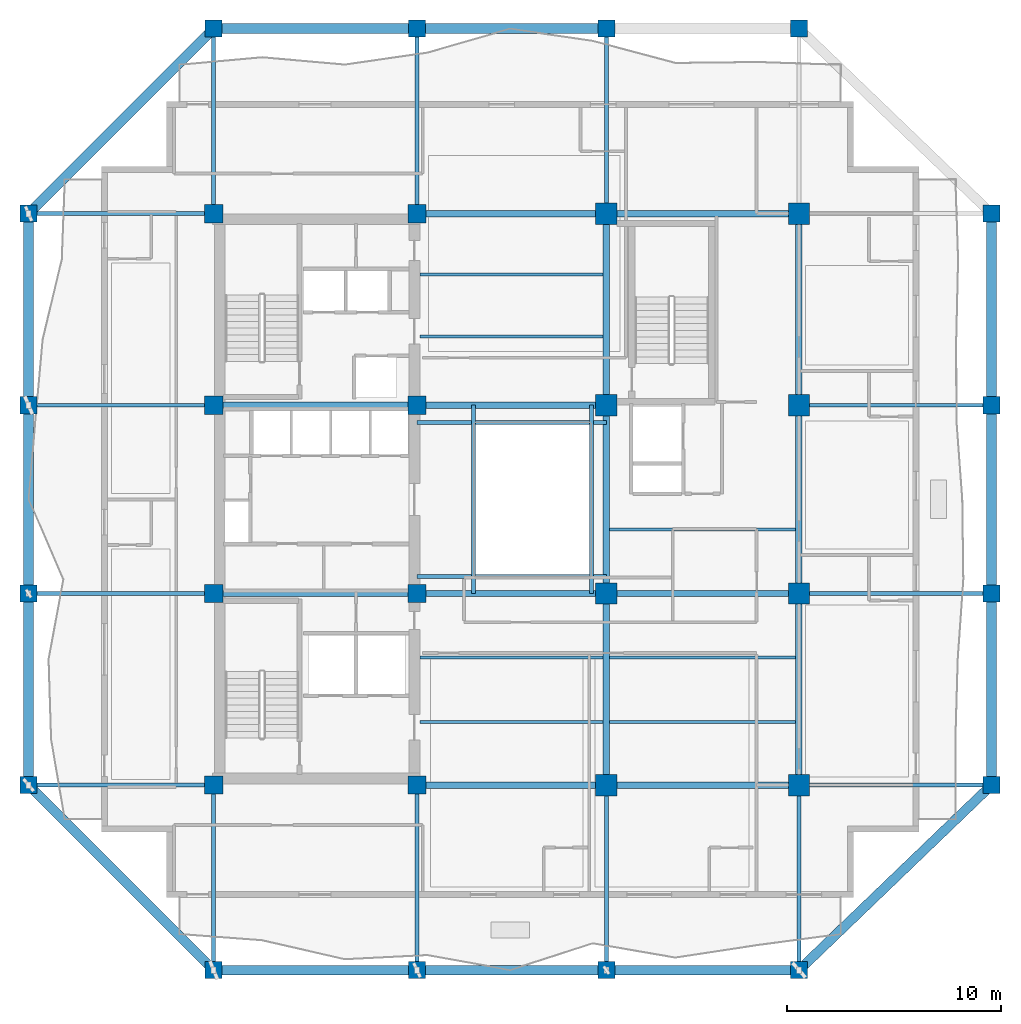
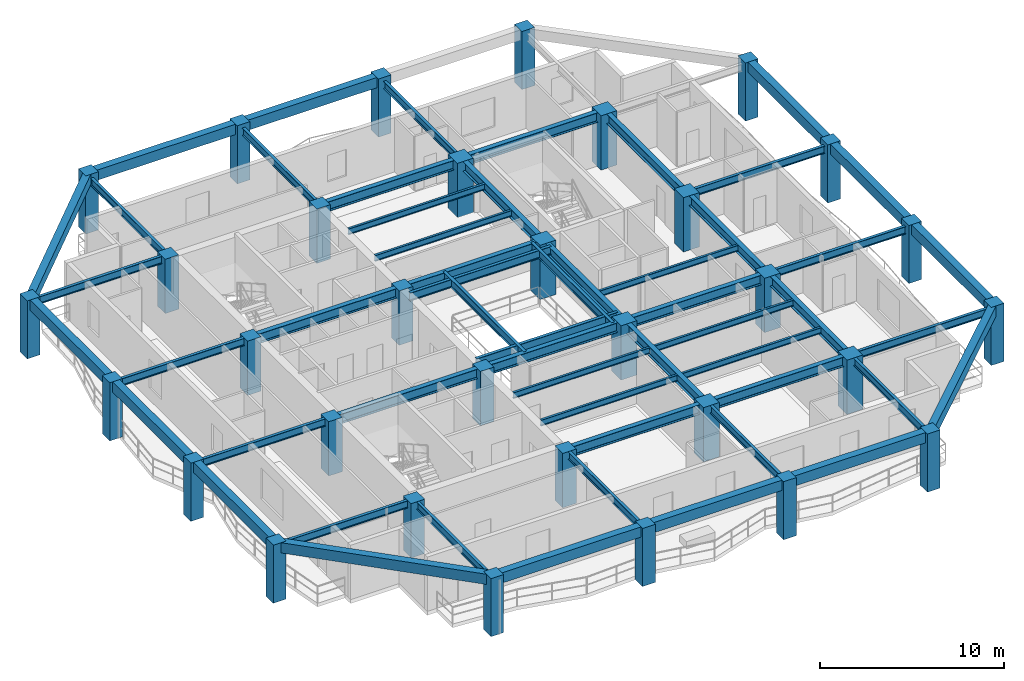
# One storey, part 1 of 11: 54 beams, 32 columns.
"""IFC4 building model written with IfcOpenShell, lengths in metres."""

from ifc_helpers import new_model, si_unit, direction, frame, origin, origin_2d, place, context, subcontext, project, spatial, rectangle, i_section, extrude, material, material_profile, profile_set, type_object, element, save


model = new_model("IFC4")

# Units and contexts
model_context = context("Model", 3, precision=1e-05, world=origin(), true_north=direction((0.0, 1.0)))
body_context = subcontext(model_context, "Body", "Model", "MODEL_VIEW")
ifc_project = project(units=[si_unit("LENGTHUNIT", "METRE"), si_unit("AREAUNIT", "SQUARE_METRE"), si_unit("VOLUMEUNIT", "CUBIC_METRE"), si_unit("PLANEANGLEUNIT", "RADIAN"), si_unit("MASSUNIT", "GRAM", prefix="KILO")], contexts=[model_context])

# Site, building, storey
site_placement = place(None, origin())
site = spatial("IfcSite", under=ifc_project, at=site_placement, CompositionType="ELEMENT")
building_placement = place(site_placement, origin())
building = spatial("IfcBuilding", under=site, at=building_placement, Name="Kundavana Baori Tower", CompositionType="ELEMENT")
storey_placement = place(building_placement, frame((0.0, 0.0, 119.39990234375)))
storey = spatial("IfcBuildingStorey", under=building, at=storey_placement, Name="L28", CompositionType="ELEMENT", Elevation=119.39990234375)

# Columns
ifc_material_1 = material(Name="Concrete C50/60", Category="concrete")
ifc_material_profile_1 = material_profile(ifc_material_1, rectangle(XDim=0.800048828125, YDim=0.800048828125, at=origin_2d()), Name="RC PF 800x800")
ifc_profile_set_1 = profile_set([ifc_material_profile_1], Name="Concrete C50/60")
column_type_1 = type_object("IfcColumnType", Name="COL-PF-800", PredefinedType="COLUMN", material=ifc_profile_set_1)
for number, where, z_axis, x_axis, name in (
    (1, (15.449951171875, 6.60009765625, 0.0), (0.0, 0.0, 1.0), (1.0, 0.0, 0.0), "L28 Stone-Clad Perimeter Frame Column PF-S1"),
    (2, (15.449951171875, 50.60009765625, 0.0), (0.0, 0.0, 1.0), (1.0, 0.0, 0.0), "L28 Stone-Clad Perimeter Frame Column PF-N1"),
    (3, (24.949951171875, 6.60009765625, 0.0), (0.0, 0.0, 1.0), (1.0, 0.0, 0.0), "L28 Stone-Clad Perimeter Frame Column PF-S2"),
    (4, (24.949951171875, 50.60009765625, 0.0), (0.0, 0.0, 1.0), (1.0, 0.0, 0.0), "L28 Stone-Clad Perimeter Frame Column PF-N2"),
    (5, (33.800048828125, 6.60009765625, 0.0), (0.0, 0.0, 1.0), (1.0, 0.0, 0.0), "L28 Stone-Clad Perimeter Frame Column PF-S3"),
    (6, (33.800048828125, 50.60009765625, 0.0), (0.0, 0.0, 1.0), (1.0, 0.0, 0.0), "L28 Stone-Clad Perimeter Frame Column PF-N3"),
    (7, (42.800048828125, 6.60009765625, 0.0), (0.0, 0.0, 1.0), (1.0, 0.0, 0.0), "L28 Stone-Clad Perimeter Frame Column PF-S4"),
    (8, (42.800048828125, 50.60009765625, 0.0), (0.0, 0.0, 1.0), (1.0, 0.0, 0.0), "L28 Stone-Clad Perimeter Frame Column PF-N4"),
    (9, (6.800048828125, 15.25, 0.0), (0.0, 0.0, 1.0), (1.0, 0.0, 0.0), "L28 Stone-Clad Perimeter Frame Column PF-W1"),
    (10, (51.800048828125, 15.25, 0.0), (0.0, 0.0, 1.0), (1.0, 0.0, 0.0), "L28 Stone-Clad Perimeter Frame Column PF-E1"),
    (11, (6.800048828125, 24.199951171875, 0.0), (0.0, 0.0, 1.0), (1.0, 0.0, 0.0), "L28 Stone-Clad Perimeter Frame Column PF-W2"),
    (12, (51.800048828125, 24.199951171875, 0.0), (0.0, 0.0, 1.0), (1.0, 0.0, 0.0), "L28 Stone-Clad Perimeter Frame Column PF-E2"),
    (13, (6.800048828125, 33.0, 0.0), (0.0, 0.0, 1.0), (1.0, 0.0, 0.0), "L28 Stone-Clad Perimeter Frame Column PF-W3"),
    (14, (51.800048828125, 33.0, 0.0), (0.0, 0.0, 1.0), (1.0, 0.0, 0.0), "L28 Stone-Clad Perimeter Frame Column PF-E3"),
    (15, (6.800048828125, 41.949951171875, 0.0), (0.0, 0.0, 1.0), (1.0, 0.0, 0.0), "L28 Stone-Clad Perimeter Frame Column PF-W4"),
    (16, (51.800048828125, 41.949951171875, 0.0), (0.0, 0.0, 1.0), (1.0, 0.0, 0.0), "L28 Stone-Clad Perimeter Frame Column PF-E4"),
):
    element("IfcColumn", number, at=place(storey_placement, frame(where, z_axis=z_axis, x_axis=x_axis)), inside=storey, type_object=column_type_1, Name=name, PredefinedType="COLUMN", context=body_context, shape_type="SweptSolid", body=[
        extrude(rectangle(XDim=0.800048828125, YDim=0.800048828125, at=origin_2d()), origin(), (0.0, 0.0, 1.0), 3.85009765625),
    ])
ifc_material_2 = material(Name="Concrete C50/60", Category="concrete")
ifc_material_profile_2 = material_profile(ifc_material_2, rectangle(XDim=1.0, YDim=1.0, at=origin_2d()), Name="RC 1000x1000")
ifc_profile_set_2 = profile_set([ifc_material_profile_2], Name="Concrete C50/60")
column_type_2 = type_object("IfcColumnType", Name="COL-RC-1000", PredefinedType="COLUMN", material=ifc_profile_set_2)
for number, where, z_axis, x_axis, name in (
    (17, (33.800048828125, 15.25, 0.0), (0.0, 0.0, 1.0), (1.0, 0.0, 0.0), "L28 Interior Column IC-5C"),
    (18, (33.800048828125, 24.199951171875, 0.0), (0.0, 0.0, 1.0), (1.0, 0.0, 0.0), "L28 Interior Column IC-5D"),
    (19, (33.800048828125, 33.0, 0.0), (0.0, 0.0, 1.0), (1.0, 0.0, 0.0), "L28 Interior Column IC-5E"),
    (20, (33.800048828125, 41.949951171875, 0.0), (0.0, 0.0, 1.0), (1.0, 0.0, 0.0), "L28 Interior Column IC-5F"),
    (21, (42.800048828125, 15.25, 0.0), (0.0, 0.0, 1.0), (1.0, 0.0, 0.0), "L28 Interior Column IC-6C"),
    (22, (42.800048828125, 24.199951171875, 0.0), (0.0, 0.0, 1.0), (1.0, 0.0, 0.0), "L28 Interior Column IC-6D"),
    (23, (42.800048828125, 33.0, 0.0), (0.0, 0.0, 1.0), (1.0, 0.0, 0.0), "L28 Interior Column IC-6E"),
    (24, (42.800048828125, 41.949951171875, 0.0), (0.0, 0.0, 1.0), (1.0, 0.0, 0.0), "L28 Interior Column IC-6F"),
):
    element("IfcColumn", number, at=place(storey_placement, frame(where, z_axis=z_axis, x_axis=x_axis)), inside=storey, type_object=column_type_2, Name=name, PredefinedType="COLUMN", context=body_context, shape_type="SweptSolid", body=[
        extrude(rectangle(XDim=1.0, YDim=1.0, at=origin_2d()), origin(), (0.0, 0.0, 1.0), 3.60009765625),
    ])
ifc_material_3 = material(Name="Concrete C50/60", Category="concrete")
ifc_material_profile_3 = material_profile(ifc_material_3, rectangle(XDim=0.85009765625, YDim=0.85009765625, at=origin_2d()), Name="RC 850x850")
ifc_profile_set_3 = profile_set([ifc_material_profile_3], Name="Concrete C50/60")
column_type_3 = type_object("IfcColumnType", Name="COL-RC-850", PredefinedType="COLUMN", material=ifc_profile_set_3)
for number, where, z_axis, x_axis, name in (
    (25, (15.449951171875, 15.25, 0.0), (0.0, 0.0, 1.0), (1.0, 0.0, 0.0), "L28 Interior Column IC-3C"),
    (26, (15.449951171875, 24.199951171875, 0.0), (0.0, 0.0, 1.0), (1.0, 0.0, 0.0), "L28 Interior Column IC-3D"),
    (27, (15.449951171875, 33.0, 0.0), (0.0, 0.0, 1.0), (1.0, 0.0, 0.0), "L28 Interior Column IC-3E"),
    (28, (15.449951171875, 41.949951171875, 0.0), (0.0, 0.0, 1.0), (1.0, 0.0, 0.0), "L28 Interior Column IC-3F"),
    (29, (24.949951171875, 15.25, 0.0), (0.0, 0.0, 1.0), (1.0, 0.0, 0.0), "L28 Interior Column IC-4C"),
    (30, (24.949951171875, 24.199951171875, 0.0), (0.0, 0.0, 1.0), (1.0, 0.0, 0.0), "L28 Interior Column IC-4D"),
    (31, (24.949951171875, 33.0, 0.0), (0.0, 0.0, 1.0), (1.0, 0.0, 0.0), "L28 Interior Column IC-4E"),
    (32, (24.949951171875, 41.949951171875, 0.0), (0.0, 0.0, 1.0), (1.0, 0.0, 0.0), "L28 Interior Column IC-4F"),
):
    element("IfcColumn", number, at=place(storey_placement, frame(where, z_axis=z_axis, x_axis=x_axis)), inside=storey, type_object=column_type_3, Name=name, PredefinedType="COLUMN", context=body_context, shape_type="SweptSolid", body=[
        extrude(rectangle(XDim=0.85009765625, YDim=0.85009765625, at=origin_2d()), origin(), (0.0, 0.0, 1.0), 3.60009765625),
    ])

# Beams
ifc_material_4 = material(Name="Structural Steel S355JR", Category="steel")
ifc_material_profile_4 = material_profile(ifc_material_4, i_section(OverallWidth=0.139892578125, OverallDepth=0.39990234375, WebThickness=0.0087890625, FlangeThickness=0.01611328125, FilletRadius=0.013916015625, at=origin_2d()), Name="ISMB 400")
ifc_profile_set_4 = profile_set([ifc_material_profile_4], Name="Structural Steel S355JR")
beam_type_1 = type_object("IfcBeamType", Name="BM-JST-400", PredefinedType="JOIST", material=ifc_profile_set_4)
for number, where, z_axis, x_axis, name in (
    (33, (25.080078125, 18.199951171875, 3.400146484375), (1.0, 0.0, 0.0), (0.0, 1.0, 0.0), "L28 Central Bay Composite Floor Joist C1"),
    (34, (25.080078125, 21.199951171875, 3.400146484375), (1.0, 0.0, 0.0), (0.0, 1.0, 0.0), "L28 Central Bay Composite Floor Joist C2"),
    (35, (25.080078125, 36.199951171875, 3.400146484375), (1.0, 0.0, 0.0), (0.0, 1.0, 0.0), "L28 Central Bay Composite Floor Joist C3"),
    (36, (25.080078125, 39.10009765625, 3.400146484375), (1.0, 0.0, 0.0), (0.0, 1.0, 0.0), "L28 Central Bay Composite Floor Joist C4"),
):
    element("IfcBeam", number, at=place(storey_placement, frame(where, z_axis=z_axis, x_axis=x_axis)), inside=storey, type_object=beam_type_1, Name=name, PredefinedType="JOIST", context=body_context, shape_type="SweptSolid", body=[
        extrude(i_section(OverallWidth=0.139892578125, OverallDepth=0.39990234375, WebThickness=0.0087890625, FlangeThickness=0.01611328125, FilletRadius=0.013916015625, at=origin_2d()), origin(), (0.0, 0.0, 1.0), 8.56982421875),
    ])
for number, where, z_axis, x_axis, name in (
    (37, (33.949951171875, 18.199951171875, 3.400146484375), (1.0, 0.0, 0.0), (0.0, 1.0, 0.0), "L28 East Bay Composite Floor Joist E1"),
    (38, (33.949951171875, 21.199951171875, 3.400146484375), (1.0, 0.0, 0.0), (0.0, 1.0, 0.0), "L28 East Bay Composite Floor Joist E2"),
    (39, (33.949951171875, 27.199951171875, 3.400146484375), (1.0, 0.0, 0.0), (0.0, 1.0, 0.0), "L28 East Bay Composite Floor Joist E3"),
):
    element("IfcBeam", number, at=place(storey_placement, frame(where, z_axis=z_axis, x_axis=x_axis)), inside=storey, type_object=beam_type_1, Name=name, PredefinedType="JOIST", context=body_context, shape_type="SweptSolid", body=[
        extrude(i_section(OverallWidth=0.139892578125, OverallDepth=0.39990234375, WebThickness=0.0087890625, FlangeThickness=0.01611328125, FilletRadius=0.013916015625, at=origin_2d()), origin(), (0.0, 0.0, 1.0), 8.699951171875),
    ])
ifc_material_5 = material(Name="Concrete C50/60", Category="concrete")
ifc_material_profile_5 = material_profile(ifc_material_5, rectangle(XDim=0.449951171875, YDim=0.679931640625, at=origin_2d()), Name="RC BM 450x680")
ifc_profile_set_5 = profile_set([ifc_material_profile_5], Name="Concrete C50/60")
beam_type_2 = type_object("IfcBeamType", Name="BM-PF-680", PredefinedType="SPANDREL", material=ifc_profile_set_5)
beam_1_placement = place(storey_placement, frame((15.449951171875, 6.60009765625, 3.510009765625), z_axis=(1.0, 0.0, 0.0), x_axis=(0.0, 1.0, 0.0)))
element("IfcBeam", 40, at=beam_1_placement, inside=storey, type_object=beam_type_2, Name="L28 Perimeter Frame Ring Beam S1", PredefinedType="SPANDREL", context=body_context, shape_type="SweptSolid", body=[
    extrude(rectangle(XDim=0.449951171875, YDim=0.679931640625, at=origin_2d()), origin(), (0.0, 0.0, 1.0), 9.5),
])
beam_2_placement = place(storey_placement, frame((24.949951171875, 6.60009765625, 3.510009765625), z_axis=(1.0, 0.0, 0.0), x_axis=(0.0, 1.0, 0.0)))
element("IfcBeam", 41, at=beam_2_placement, inside=storey, type_object=beam_type_2, Name="L28 Perimeter Frame Ring Beam S2", PredefinedType="SPANDREL", context=body_context, shape_type="SweptSolid", body=[
    extrude(rectangle(XDim=0.449951171875, YDim=0.679931640625, at=origin_2d()), origin(), (0.0, 0.0, 1.0), 8.85009765625),
])
beam_3_placement = place(storey_placement, frame((33.800048828125, 6.60009765625, 3.510009765625), z_axis=(1.0, 0.0, 0.0), x_axis=(0.0, 1.0, 0.0)))
element("IfcBeam", 42, at=beam_3_placement, inside=storey, type_object=beam_type_2, Name="L28 Perimeter Frame Ring Beam S3", PredefinedType="SPANDREL", context=body_context, shape_type="SweptSolid", body=[
    extrude(rectangle(XDim=0.449951171875, YDim=0.679931640625, at=origin_2d()), origin(), (0.0, 0.0, 1.0), 9.0),
])
beam_4_placement = place(storey_placement, frame((15.449951171875, 50.60009765625, 3.510009765625), z_axis=(1.0, 0.0, 0.0), x_axis=(0.0, 1.0, 0.0)))
element("IfcBeam", 43, at=beam_4_placement, inside=storey, type_object=beam_type_2, Name="L28 Perimeter Frame Ring Beam N1", PredefinedType="SPANDREL", context=body_context, shape_type="SweptSolid", body=[
    extrude(rectangle(XDim=0.449951171875, YDim=0.679931640625, at=origin_2d()), origin(), (0.0, 0.0, 1.0), 9.5),
])
beam_5_placement = place(storey_placement, frame((24.949951171875, 50.60009765625, 3.510009765625), z_axis=(1.0, 0.0, 0.0), x_axis=(0.0, 1.0, 0.0)))
element("IfcBeam", 44, at=beam_5_placement, inside=storey, type_object=beam_type_2, Name="L28 Perimeter Frame Ring Beam N2", PredefinedType="SPANDREL", context=body_context, shape_type="SweptSolid", body=[
    extrude(rectangle(XDim=0.449951171875, YDim=0.679931640625, at=origin_2d()), origin(), (0.0, 0.0, 1.0), 8.85009765625),
])
beam_6_placement = place(storey_placement, frame((6.800048828125, 15.25, 3.510009765625), z_axis=(0.0, 1.0, 0.0), x_axis=(-1.0, 0.0, 0.0)))
element("IfcBeam", 45, at=beam_6_placement, inside=storey, type_object=beam_type_2, Name="L28 Perimeter Frame Ring Beam W1", PredefinedType="SPANDREL", context=body_context, shape_type="SweptSolid", body=[
    extrude(rectangle(XDim=0.449951171875, YDim=0.679931640625, at=origin_2d()), origin(), (0.0, 0.0, 1.0), 8.949951171875),
])
beam_7_placement = place(storey_placement, frame((6.800048828125, 24.199951171875, 3.510009765625), z_axis=(0.0, 1.0, 0.0), x_axis=(-1.0, 0.0, 0.0)))
element("IfcBeam", 46, at=beam_7_placement, inside=storey, type_object=beam_type_2, Name="L28 Perimeter Frame Ring Beam W2", PredefinedType="SPANDREL", context=body_context, shape_type="SweptSolid", body=[
    extrude(rectangle(XDim=0.449951171875, YDim=0.679931640625, at=origin_2d()), origin(), (0.0, 0.0, 1.0), 8.800048828125),
])
for number, where, z_axis, x_axis, name in (
    (47, (6.800048828125, 33.0, 3.510009765625), (0.0, 1.0, 0.0), (-1.0, 0.0, 0.0), "L28 Perimeter Frame Ring Beam W3"),
    (48, (51.800048828125, 15.25, 3.510009765625), (0.0, 1.0, 0.0), (-1.0, 0.0, 0.0), "L28 Perimeter Frame Ring Beam E1"),
):
    element("IfcBeam", number, at=place(storey_placement, frame(where, z_axis=z_axis, x_axis=x_axis)), inside=storey, type_object=beam_type_2, Name=name, PredefinedType="SPANDREL", context=body_context, shape_type="SweptSolid", body=[
        extrude(rectangle(XDim=0.449951171875, YDim=0.679931640625, at=origin_2d()), origin(), (0.0, 0.0, 1.0), 8.949951171875),
    ])
beam_8_placement = place(storey_placement, frame((51.800048828125, 24.199951171875, 3.510009765625), z_axis=(0.0, 1.0, 0.0), x_axis=(-1.0, 0.0, 0.0)))
element("IfcBeam", 49, at=beam_8_placement, inside=storey, type_object=beam_type_2, Name="L28 Perimeter Frame Ring Beam E2", PredefinedType="SPANDREL", context=body_context, shape_type="SweptSolid", body=[
    extrude(rectangle(XDim=0.449951171875, YDim=0.679931640625, at=origin_2d()), origin(), (0.0, 0.0, 1.0), 8.800048828125),
])
beam_9_placement = place(storey_placement, frame((51.800048828125, 33.0, 3.510009765625), z_axis=(0.0, 1.0, 0.0), x_axis=(-1.0, 0.0, 0.0)))
element("IfcBeam", 50, at=beam_9_placement, inside=storey, type_object=beam_type_2, Name="L28 Perimeter Frame Ring Beam E3", PredefinedType="SPANDREL", context=body_context, shape_type="SweptSolid", body=[
    extrude(rectangle(XDim=0.449951171875, YDim=0.679931640625, at=origin_2d()), origin(), (0.0, 0.0, 1.0), 8.949951171875),
])
beam_10_placement = place(storey_placement, frame((15.449951171875, 6.60009765625, 3.510009765625), z_axis=(-0.707106781187, 0.707106781187, 0.0), x_axis=(-0.707106781187, -0.707106781187, 0.0)))
element("IfcBeam", 51, at=beam_10_placement, inside=storey, type_object=beam_type_2, Name="L28 Notched Corner Perimeter Beam SW", PredefinedType="SPANDREL", context=body_context, shape_type="SweptSolid", body=[
    extrude(rectangle(XDim=0.449951171875, YDim=0.679931640625, at=origin_2d()), origin(), (0.0, 0.0, 1.0), 12.23291015625),
])
beam_11_placement = place(storey_placement, frame((42.800048828125, 6.60009765625, 3.510009765625), z_axis=(0.720990894297, 0.692944536266, 0.0), x_axis=(-0.692944536266, 0.720990894297, 0.0)))
element("IfcBeam", 52, at=beam_11_placement, inside=storey, type_object=beam_type_2, Name="L28 Notched Corner Perimeter Beam SE", PredefinedType="SPANDREL", context=body_context, shape_type="SweptSolid", body=[
    extrude(rectangle(XDim=0.449951171875, YDim=0.679931640625, at=origin_2d()), origin(), (0.0, 0.0, 1.0), 12.48291015625),
])
beam_12_placement = place(storey_placement, frame((15.449951171875, 50.60009765625, 3.510009765625), z_axis=(-0.70709680233, -0.707116759903, 0.0), x_axis=(0.707116759903, -0.70709680233, 0.0)))
element("IfcBeam", 53, at=beam_12_placement, inside=storey, type_object=beam_type_2, Name="L28 Notched Corner Perimeter Beam NW", PredefinedType="SPANDREL", context=body_context, shape_type="SweptSolid", body=[
    extrude(rectangle(XDim=0.449951171875, YDim=0.679931640625, at=origin_2d()), origin(), (0.0, 0.0, 1.0), 12.23291015625),
])
ifc_material_6 = material(Name="Structural Steel S355JR", Category="steel")
ifc_material_profile_6 = material_profile(ifc_material_6, i_section(OverallWidth=0.18994140625, OverallDepth=0.550048828125, WebThickness=0.01123046875, FlangeThickness=0.019287109375, FilletRadius=0.01806640625, at=origin_2d()), Name="ISMB 550")
ifc_profile_set_6 = profile_set([ifc_material_profile_6], Name="Structural Steel S355JR")
beam_type_3 = type_object("IfcBeamType", Name="BM-ST-550", PredefinedType="BEAM", material=ifc_profile_set_6)
for number, where, z_axis, x_axis, name in (
    (54, (27.60009765625, 24.199951171875, 3.3251953125), (0.0, 1.0, 0.0), (-1.0, 0.0, 0.0), "L28 Atrium West Edge Beam"),
    (55, (33.10009765625, 24.199951171875, 3.3251953125), (0.0, 1.0, 0.0), (-1.0, 0.0, 0.0), "L28 Atrium East Edge Beam"),
):
    element("IfcBeam", number, at=place(storey_placement, frame(where, z_axis=z_axis, x_axis=x_axis)), inside=storey, type_object=beam_type_3, Name=name, PredefinedType="BEAM", context=body_context, shape_type="SweptSolid", body=[
        extrude(i_section(OverallWidth=0.18994140625, OverallDepth=0.550048828125, WebThickness=0.01123046875, FlangeThickness=0.019287109375, FilletRadius=0.01806640625, at=origin_2d()), origin(), (0.0, 0.0, 1.0), 8.800048828125),
    ])
for number, where, z_axis, x_axis, name in (
    (56, (24.949951171875, 25.0, 3.3251953125), (1.0, 0.0, 0.0), (0.0, 1.0, 0.0), "L28 Atrium South Edge Beam"),
    (57, (24.949951171875, 32.199951171875, 3.3251953125), (1.0, 0.0, 0.0), (0.0, 1.0, 0.0), "L28 Atrium North Edge Beam"),
):
    element("IfcBeam", number, at=place(storey_placement, frame(where, z_axis=z_axis, x_axis=x_axis)), inside=storey, type_object=beam_type_3, Name=name, PredefinedType="BEAM", context=body_context, shape_type="SweptSolid", body=[
        extrude(i_section(OverallWidth=0.18994140625, OverallDepth=0.550048828125, WebThickness=0.01123046875, FlangeThickness=0.019287109375, FilletRadius=0.01806640625, at=origin_2d()), origin(), (0.0, 0.0, 1.0), 8.85009765625),
    ])
ifc_material_7 = material(Name="Structural Steel S355JR", Category="steel")
ifc_material_profile_7 = material_profile(ifc_material_7, i_section(OverallWidth=0.300048828125, OverallDepth=0.64990234375, WebThickness=0.013427734375, FlangeThickness=0.02197265625, FilletRadius=0.02392578125, at=origin_2d()), Name="NPB 650x300x155")
ifc_profile_set_7 = profile_set([ifc_material_profile_7], Name="Structural Steel S355JR")
beam_type_4 = type_object("IfcBeamType", Name="BM-ST-650", PredefinedType="BEAM", material=ifc_profile_set_7)
beam_13_placement = place(storey_placement, frame((24.949951171875, 15.25, 3.275146484375), z_axis=(1.0, 0.0, 0.0), x_axis=(0.0, 1.0, 0.0)))
element("IfcBeam", 58, at=beam_13_placement, inside=storey, type_object=beam_type_4, Name="L28 Primary Grid Girder GX-1-2", PredefinedType="BEAM", context=body_context, shape_type="SweptSolid", body=[
    extrude(i_section(OverallWidth=0.300048828125, OverallDepth=0.64990234375, WebThickness=0.013427734375, FlangeThickness=0.02197265625, FilletRadius=0.02392578125, at=origin_2d()), origin(), (0.0, 0.0, 1.0), 8.85009765625),
])
beam_14_placement = place(storey_placement, frame((33.800048828125, 15.25, 3.275146484375), z_axis=(1.0, 0.0, 0.0), x_axis=(0.0, 1.0, 0.0)))
element("IfcBeam", 59, at=beam_14_placement, inside=storey, type_object=beam_type_4, Name="L28 Primary Grid Girder GX-1-3", PredefinedType="BEAM", context=body_context, shape_type="SweptSolid", body=[
    extrude(i_section(OverallWidth=0.300048828125, OverallDepth=0.64990234375, WebThickness=0.013427734375, FlangeThickness=0.02197265625, FilletRadius=0.02392578125, at=origin_2d()), origin(), (0.0, 0.0, 1.0), 9.0),
])
beam_15_placement = place(storey_placement, frame((15.449951171875, 24.199951171875, 3.275146484375), z_axis=(1.0, 0.0, 0.0), x_axis=(0.0, 1.0, 0.0)))
element("IfcBeam", 60, at=beam_15_placement, inside=storey, type_object=beam_type_4, Name="L28 Primary Grid Girder GX-2-1", PredefinedType="BEAM", context=body_context, shape_type="SweptSolid", body=[
    extrude(i_section(OverallWidth=0.300048828125, OverallDepth=0.64990234375, WebThickness=0.013427734375, FlangeThickness=0.02197265625, FilletRadius=0.02392578125, at=origin_2d()), origin(), (0.0, 0.0, 1.0), 9.5),
])
beam_16_placement = place(storey_placement, frame((24.949951171875, 24.199951171875, 3.275146484375), z_axis=(1.0, 0.0, 0.0), x_axis=(0.0, 1.0, 0.0)))
element("IfcBeam", 61, at=beam_16_placement, inside=storey, type_object=beam_type_4, Name="L28 Primary Grid Girder GX-2-2", PredefinedType="BEAM", context=body_context, shape_type="SweptSolid", body=[
    extrude(i_section(OverallWidth=0.300048828125, OverallDepth=0.64990234375, WebThickness=0.013427734375, FlangeThickness=0.02197265625, FilletRadius=0.02392578125, at=origin_2d()), origin(), (0.0, 0.0, 1.0), 8.85009765625),
])
beam_17_placement = place(storey_placement, frame((33.800048828125, 24.199951171875, 3.275146484375), z_axis=(1.0, 0.0, 0.0), x_axis=(0.0, 1.0, 0.0)))
element("IfcBeam", 62, at=beam_17_placement, inside=storey, type_object=beam_type_4, Name="L28 Primary Grid Girder GX-2-3", PredefinedType="BEAM", context=body_context, shape_type="SweptSolid", body=[
    extrude(i_section(OverallWidth=0.300048828125, OverallDepth=0.64990234375, WebThickness=0.013427734375, FlangeThickness=0.02197265625, FilletRadius=0.02392578125, at=origin_2d()), origin(), (0.0, 0.0, 1.0), 9.0),
])
beam_18_placement = place(storey_placement, frame((15.449951171875, 33.0, 3.275146484375), z_axis=(1.0, 0.0, 0.0), x_axis=(0.0, 1.0, 0.0)))
element("IfcBeam", 63, at=beam_18_placement, inside=storey, type_object=beam_type_4, Name="L28 Primary Grid Girder GX-3-1", PredefinedType="BEAM", context=body_context, shape_type="SweptSolid", body=[
    extrude(i_section(OverallWidth=0.300048828125, OverallDepth=0.64990234375, WebThickness=0.013427734375, FlangeThickness=0.02197265625, FilletRadius=0.02392578125, at=origin_2d()), origin(), (0.0, 0.0, 1.0), 9.5),
])
for number, where, z_axis, x_axis, name in (
    (64, (24.949951171875, 33.0, 3.275146484375), (1.0, 0.0, 0.0), (0.0, 1.0, 0.0), "L28 Primary Grid Girder GX-3-2"),
    (65, (24.949951171875, 41.949951171875, 3.275146484375), (1.0, 0.0, 0.0), (0.0, 1.0, 0.0), "L28 Primary Grid Girder GX-4-2"),
):
    element("IfcBeam", number, at=place(storey_placement, frame(where, z_axis=z_axis, x_axis=x_axis)), inside=storey, type_object=beam_type_4, Name=name, PredefinedType="BEAM", context=body_context, shape_type="SweptSolid", body=[
        extrude(i_section(OverallWidth=0.300048828125, OverallDepth=0.64990234375, WebThickness=0.013427734375, FlangeThickness=0.02197265625, FilletRadius=0.02392578125, at=origin_2d()), origin(), (0.0, 0.0, 1.0), 8.85009765625),
    ])
beam_19_placement = place(storey_placement, frame((33.800048828125, 41.949951171875, 3.275146484375), z_axis=(1.0, 0.0, 0.0), x_axis=(0.0, 1.0, 0.0)))
element("IfcBeam", 66, at=beam_19_placement, inside=storey, type_object=beam_type_4, Name="L28 Primary Grid Girder GX-4-3", PredefinedType="BEAM", context=body_context, shape_type="SweptSolid", body=[
    extrude(i_section(OverallWidth=0.300048828125, OverallDepth=0.64990234375, WebThickness=0.013427734375, FlangeThickness=0.02197265625, FilletRadius=0.02392578125, at=origin_2d()), origin(), (0.0, 0.0, 1.0), 9.0),
])
beam_20_placement = place(storey_placement, frame((33.800048828125, 15.25, 3.275146484375), z_axis=(0.0, 1.0, 0.0), x_axis=(-1.0, 0.0, 0.0)))
element("IfcBeam", 67, at=beam_20_placement, inside=storey, type_object=beam_type_4, Name="L28 Primary Grid Girder GY-3-1", PredefinedType="BEAM", context=body_context, shape_type="SweptSolid", body=[
    extrude(i_section(OverallWidth=0.300048828125, OverallDepth=0.64990234375, WebThickness=0.013427734375, FlangeThickness=0.02197265625, FilletRadius=0.02392578125, at=origin_2d()), origin(), (0.0, 0.0, 1.0), 8.949951171875),
])
beam_21_placement = place(storey_placement, frame((33.800048828125, 24.199951171875, 3.275146484375), z_axis=(0.0, 1.0, 0.0), x_axis=(-1.0, 0.0, 0.0)))
element("IfcBeam", 68, at=beam_21_placement, inside=storey, type_object=beam_type_4, Name="L28 Primary Grid Girder GY-3-2", PredefinedType="BEAM", context=body_context, shape_type="SweptSolid", body=[
    extrude(i_section(OverallWidth=0.300048828125, OverallDepth=0.64990234375, WebThickness=0.013427734375, FlangeThickness=0.02197265625, FilletRadius=0.02392578125, at=origin_2d()), origin(), (0.0, 0.0, 1.0), 8.800048828125),
])
for number, where, z_axis, x_axis, name in (
    (69, (33.800048828125, 33.0, 3.275146484375), (0.0, 1.0, 0.0), (-1.0, 0.0, 0.0), "L28 Primary Grid Girder GY-3-3"),
    (70, (42.800048828125, 15.25, 3.275146484375), (0.0, 1.0, 0.0), (-1.0, 0.0, 0.0), "L28 Primary Grid Girder GY-4-1"),
):
    element("IfcBeam", number, at=place(storey_placement, frame(where, z_axis=z_axis, x_axis=x_axis)), inside=storey, type_object=beam_type_4, Name=name, PredefinedType="BEAM", context=body_context, shape_type="SweptSolid", body=[
        extrude(i_section(OverallWidth=0.300048828125, OverallDepth=0.64990234375, WebThickness=0.013427734375, FlangeThickness=0.02197265625, FilletRadius=0.02392578125, at=origin_2d()), origin(), (0.0, 0.0, 1.0), 8.949951171875),
    ])
beam_22_placement = place(storey_placement, frame((42.800048828125, 24.199951171875, 3.275146484375), z_axis=(0.0, 1.0, 0.0), x_axis=(-1.0, 0.0, 0.0)))
element("IfcBeam", 71, at=beam_22_placement, inside=storey, type_object=beam_type_4, Name="L28 Primary Grid Girder GY-4-2", PredefinedType="BEAM", context=body_context, shape_type="SweptSolid", body=[
    extrude(i_section(OverallWidth=0.300048828125, OverallDepth=0.64990234375, WebThickness=0.013427734375, FlangeThickness=0.02197265625, FilletRadius=0.02392578125, at=origin_2d()), origin(), (0.0, 0.0, 1.0), 8.800048828125),
])
beam_23_placement = place(storey_placement, frame((42.800048828125, 33.0, 3.275146484375), z_axis=(0.0, 1.0, 0.0), x_axis=(-1.0, 0.0, 0.0)))
element("IfcBeam", 72, at=beam_23_placement, inside=storey, type_object=beam_type_4, Name="L28 Primary Grid Girder GY-4-3", PredefinedType="BEAM", context=body_context, shape_type="SweptSolid", body=[
    extrude(i_section(OverallWidth=0.300048828125, OverallDepth=0.64990234375, WebThickness=0.013427734375, FlangeThickness=0.02197265625, FilletRadius=0.02392578125, at=origin_2d()), origin(), (0.0, 0.0, 1.0), 8.949951171875),
])
ifc_material_8 = material(Name="Structural Steel S355JR", Category="steel")
ifc_material_profile_8 = material_profile(ifc_material_8, i_section(OverallWidth=0.179931640625, OverallDepth=0.5, WebThickness=0.01025390625, FlangeThickness=0.01708984375, FilletRadius=0.01708984375, at=origin_2d()), Name="ISMB 500")
ifc_profile_set_8 = profile_set([ifc_material_profile_8], Name="Structural Steel S355JR")
beam_type_5 = type_object("IfcBeamType", Name="BM-TIE-500", PredefinedType="BEAM", material=ifc_profile_set_8)
beam_24_placement = place(storey_placement, frame((15.449951171875, 15.25, 3.35009765625), z_axis=(0.0, -1.0, 0.0), x_axis=(1.0, 0.0, 0.0)))
element("IfcBeam", 73, at=beam_24_placement, inside=storey, type_object=beam_type_5, Name="L28 South Radial Loggia Tie Beam S1", PredefinedType="BEAM", context=body_context, shape_type="SweptSolid", body=[
    extrude(i_section(OverallWidth=0.179931640625, OverallDepth=0.5, WebThickness=0.01025390625, FlangeThickness=0.01708984375, FilletRadius=0.01708984375, at=origin_2d()), origin(), (0.0, 0.0, 1.0), 8.64990234375),
])
beam_25_placement = place(storey_placement, frame((15.449951171875, 41.949951171875, 3.35009765625), z_axis=(0.0, 1.0, 0.0), x_axis=(-1.0, 0.0, 0.0)))
element("IfcBeam", 74, at=beam_25_placement, inside=storey, type_object=beam_type_5, Name="L28 North Radial Loggia Tie Beam N1", PredefinedType="BEAM", context=body_context, shape_type="SweptSolid", body=[
    extrude(i_section(OverallWidth=0.179931640625, OverallDepth=0.5, WebThickness=0.01025390625, FlangeThickness=0.01708984375, FilletRadius=0.01708984375, at=origin_2d()), origin(), (0.0, 0.0, 1.0), 8.650146484375),
])
beam_26_placement = place(storey_placement, frame((24.949951171875, 15.25, 3.35009765625), z_axis=(0.0, -1.0, 0.0), x_axis=(1.0, 0.0, 0.0)))
element("IfcBeam", 75, at=beam_26_placement, inside=storey, type_object=beam_type_5, Name="L28 South Radial Loggia Tie Beam S2", PredefinedType="BEAM", context=body_context, shape_type="SweptSolid", body=[
    extrude(i_section(OverallWidth=0.179931640625, OverallDepth=0.5, WebThickness=0.01025390625, FlangeThickness=0.01708984375, FilletRadius=0.01708984375, at=origin_2d()), origin(), (0.0, 0.0, 1.0), 8.64990234375),
])
beam_27_placement = place(storey_placement, frame((24.949951171875, 41.949951171875, 3.35009765625), z_axis=(0.0, 1.0, 0.0), x_axis=(-1.0, 0.0, 0.0)))
element("IfcBeam", 76, at=beam_27_placement, inside=storey, type_object=beam_type_5, Name="L28 North Radial Loggia Tie Beam N2", PredefinedType="BEAM", context=body_context, shape_type="SweptSolid", body=[
    extrude(i_section(OverallWidth=0.179931640625, OverallDepth=0.5, WebThickness=0.01025390625, FlangeThickness=0.01708984375, FilletRadius=0.01708984375, at=origin_2d()), origin(), (0.0, 0.0, 1.0), 8.650146484375),
])
beam_28_placement = place(storey_placement, frame((33.800048828125, 15.25, 3.35009765625), z_axis=(0.0, -1.0, 0.0), x_axis=(1.0, 0.0, 0.0)))
element("IfcBeam", 77, at=beam_28_placement, inside=storey, type_object=beam_type_5, Name="L28 South Radial Loggia Tie Beam S3", PredefinedType="BEAM", context=body_context, shape_type="SweptSolid", body=[
    extrude(i_section(OverallWidth=0.179931640625, OverallDepth=0.5, WebThickness=0.01025390625, FlangeThickness=0.01708984375, FilletRadius=0.01708984375, at=origin_2d()), origin(), (0.0, 0.0, 1.0), 8.64990234375),
])
beam_29_placement = place(storey_placement, frame((33.800048828125, 41.949951171875, 3.35009765625), z_axis=(0.0, 1.0, 0.0), x_axis=(-1.0, 0.0, 0.0)))
element("IfcBeam", 78, at=beam_29_placement, inside=storey, type_object=beam_type_5, Name="L28 North Radial Loggia Tie Beam N3", PredefinedType="BEAM", context=body_context, shape_type="SweptSolid", body=[
    extrude(i_section(OverallWidth=0.179931640625, OverallDepth=0.5, WebThickness=0.01025390625, FlangeThickness=0.01708984375, FilletRadius=0.01708984375, at=origin_2d()), origin(), (0.0, 0.0, 1.0), 8.650146484375),
])
for number, where, z_axis, x_axis, name in (
    (79, (42.800048828125, 15.25, 3.35009765625), (0.0, -1.0, 0.0), (1.0, 0.0, 0.0), "L28 South Radial Loggia Tie Beam S4"),
    (80, (15.449951171875, 15.25, 3.35009765625), (-1.0, 0.0, 0.0), (0.0, -1.0, 0.0), "L28 West Radial Loggia Tie Beam W1"),
):
    element("IfcBeam", number, at=place(storey_placement, frame(where, z_axis=z_axis, x_axis=x_axis)), inside=storey, type_object=beam_type_5, Name=name, PredefinedType="BEAM", context=body_context, shape_type="SweptSolid", body=[
        extrude(i_section(OverallWidth=0.179931640625, OverallDepth=0.5, WebThickness=0.01025390625, FlangeThickness=0.01708984375, FilletRadius=0.01708984375, at=origin_2d()), origin(), (0.0, 0.0, 1.0), 8.64990234375),
    ])
beam_30_placement = place(storey_placement, frame((42.800048828125, 15.25, 3.35009765625), z_axis=(1.0, 0.0, 0.0), x_axis=(0.0, 1.0, 0.0)))
element("IfcBeam", 81, at=beam_30_placement, inside=storey, type_object=beam_type_5, Name="L28 East Radial Loggia Tie Beam E1", PredefinedType="BEAM", context=body_context, shape_type="SweptSolid", body=[
    extrude(i_section(OverallWidth=0.179931640625, OverallDepth=0.5, WebThickness=0.01025390625, FlangeThickness=0.01708984375, FilletRadius=0.01708984375, at=origin_2d()), origin(), (0.0, 0.0, 1.0), 9.0),
])
beam_31_placement = place(storey_placement, frame((15.449951171875, 24.199951171875, 3.35009765625), z_axis=(-1.0, 0.0, 0.0), x_axis=(0.0, -1.0, 0.0)))
element("IfcBeam", 82, at=beam_31_placement, inside=storey, type_object=beam_type_5, Name="L28 West Radial Loggia Tie Beam W2", PredefinedType="BEAM", context=body_context, shape_type="SweptSolid", body=[
    extrude(i_section(OverallWidth=0.179931640625, OverallDepth=0.5, WebThickness=0.01025390625, FlangeThickness=0.01708984375, FilletRadius=0.01708984375, at=origin_2d()), origin(), (0.0, 0.0, 1.0), 8.64990234375),
])
beam_32_placement = place(storey_placement, frame((42.800048828125, 24.199951171875, 3.35009765625), z_axis=(1.0, 0.0, 0.0), x_axis=(0.0, 1.0, 0.0)))
element("IfcBeam", 83, at=beam_32_placement, inside=storey, type_object=beam_type_5, Name="L28 East Radial Loggia Tie Beam E2", PredefinedType="BEAM", context=body_context, shape_type="SweptSolid", body=[
    extrude(i_section(OverallWidth=0.179931640625, OverallDepth=0.5, WebThickness=0.01025390625, FlangeThickness=0.01708984375, FilletRadius=0.01708984375, at=origin_2d()), origin(), (0.0, 0.0, 1.0), 9.0),
])
beam_33_placement = place(storey_placement, frame((15.449951171875, 33.0, 3.35009765625), z_axis=(-1.0, 0.0, 0.0), x_axis=(0.0, -1.0, 0.0)))
element("IfcBeam", 84, at=beam_33_placement, inside=storey, type_object=beam_type_5, Name="L28 West Radial Loggia Tie Beam W3", PredefinedType="BEAM", context=body_context, shape_type="SweptSolid", body=[
    extrude(i_section(OverallWidth=0.179931640625, OverallDepth=0.5, WebThickness=0.01025390625, FlangeThickness=0.01708984375, FilletRadius=0.01708984375, at=origin_2d()), origin(), (0.0, 0.0, 1.0), 8.64990234375),
])
beam_34_placement = place(storey_placement, frame((42.800048828125, 33.0, 3.35009765625), z_axis=(1.0, 0.0, 0.0), x_axis=(0.0, 1.0, 0.0)))
element("IfcBeam", 85, at=beam_34_placement, inside=storey, type_object=beam_type_5, Name="L28 East Radial Loggia Tie Beam E3", PredefinedType="BEAM", context=body_context, shape_type="SweptSolid", body=[
    extrude(i_section(OverallWidth=0.179931640625, OverallDepth=0.5, WebThickness=0.01025390625, FlangeThickness=0.01708984375, FilletRadius=0.01708984375, at=origin_2d()), origin(), (0.0, 0.0, 1.0), 9.0),
])
beam_35_placement = place(storey_placement, frame((15.449951171875, 41.949951171875, 3.35009765625), z_axis=(-1.0, 0.0, 0.0), x_axis=(0.0, -1.0, 0.0)))
element("IfcBeam", 86, at=beam_35_placement, inside=storey, type_object=beam_type_5, Name="L28 West Radial Loggia Tie Beam W4", PredefinedType="BEAM", context=body_context, shape_type="SweptSolid", body=[
    extrude(i_section(OverallWidth=0.179931640625, OverallDepth=0.5, WebThickness=0.01025390625, FlangeThickness=0.01708984375, FilletRadius=0.01708984375, at=origin_2d()), origin(), (0.0, 0.0, 1.0), 8.64990234375),
])

save(model, "model.ifc")
